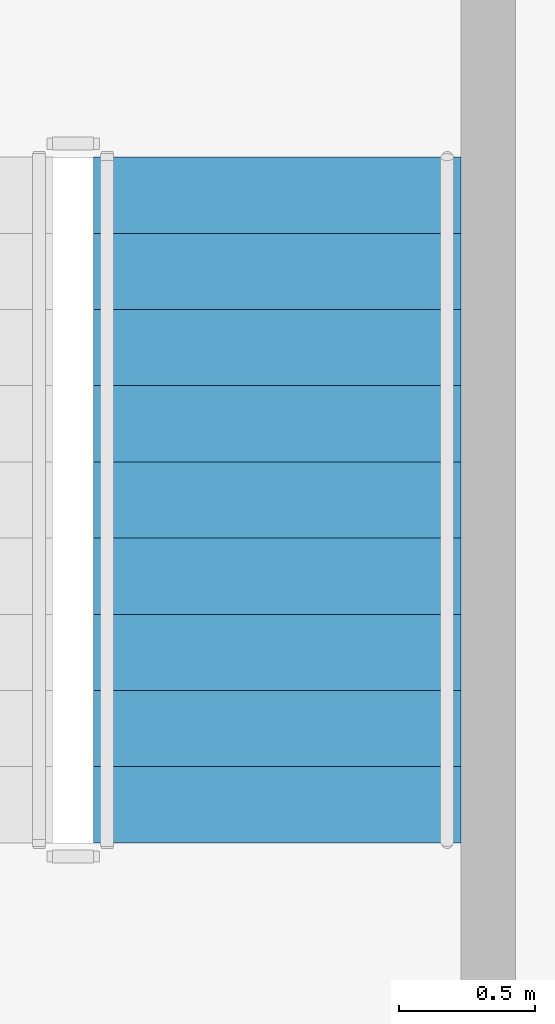
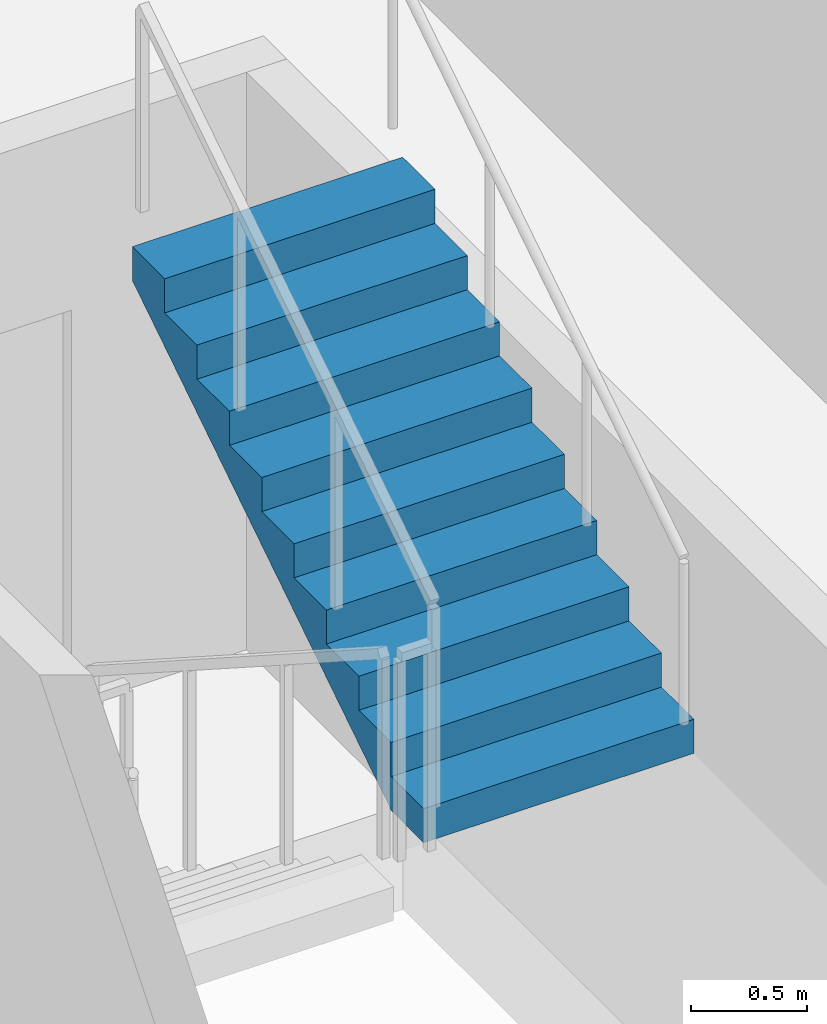
# One storey, part 13 of 17: 1 stair flight, 1 element without a shape of its own.
"""IFC4 building model written with IfcOpenShell, lengths in metres."""

from ifc_helpers import new_model, si_unit, direction, frame, origin, place, context, subcontext, project, spatial, polyline, outline, extrude, material, type_object, element, aggregate, save


model = new_model("IFC4")

# Units and contexts
model_context = context("Model", 3, precision=1e-05, world=origin(), true_north=direction((0.0, 1.0)))
body_context = subcontext(model_context, "Body", "Model", "MODEL_VIEW")
ifc_project = project(units=[si_unit("LENGTHUNIT", "METRE"), si_unit("AREAUNIT", "SQUARE_METRE"), si_unit("VOLUMEUNIT", "CUBIC_METRE"), si_unit("PLANEANGLEUNIT", "RADIAN"), si_unit("MASSUNIT", "GRAM", prefix="KILO")], contexts=[model_context])

# Site, building, storey
site_placement = place(None, origin())
site = spatial("IfcSite", under=ifc_project, at=site_placement, CompositionType="ELEMENT")
building_placement = place(site_placement, origin())
building = spatial("IfcBuilding", under=site, at=building_placement, Name="Mangrove Gate Tower", CompositionType="ELEMENT")
storey_placement = place(building_placement, frame((0.0, 0.0, 245.5)))
storey = spatial("IfcBuildingStorey", under=building, at=storey_placement, Name="L62", CompositionType="ELEMENT", Elevation=245.5)

# Stair, stair flight
ifc_material_1 = material(Name="Concrete C40/50", Category="concrete")
stair_type = type_object("IfcStairType", Name="Core stair 1350", PredefinedType="HALF_TURN_STAIR", material=ifc_material_1)
stair_placement = place(storey_placement, origin())
stair = element("IfcStair", 1, at=stair_placement, inside=storey, type_object=stair_type, Name="L62 Stair 3", PredefinedType="HALF_TURN_STAIR")
ifc_material_2 = material(Name="Concrete C40/50", Category="concrete")
stair_flight_type = type_object("IfcStairFlightType", Name="Core stair flight 1350", PredefinedType="STRAIGHT", material=ifc_material_2)
stair_flight_placement = place(storey_placement, frame((10.02490234375, -7.169921875, 1.800048828125), z_axis=(0.0, 0.0, 1.0), x_axis=(0.0, 1.0, 0.0)))
stair_flight = element("IfcStairFlight", 2, at=stair_flight_placement, type_object=stair_flight_type, Name="ST3 flight 2", NumberOfRisers=10, NumberOfTreads=9, PredefinedType="STRAIGHT", RiserHeight=0.18, TreadLength=0.28, context=body_context, shape_type="SweptSolid", body=[
    extrude(outline(polyline([(0.0, 0.0), (0.0, 0.179931640625), (0.280029296875, 0.179931640625), (0.280029296875, 0.360107421875), (0.56005859375, 0.360107421875), (0.56005859375, 0.5400390625), (0.840087890625, 0.5400390625), (0.840087890625, 0.719970703125), (1.1201171875, 0.719970703125), (1.1201171875, 0.89990234375), (1.39990234375, 0.89990234375), (1.39990234375, 1.080078125), (1.679931640625, 1.080078125), (1.679931640625, 1.260009765625), (1.9599609375, 1.260009765625), (1.9599609375, 1.43994140625), (2.239990234375, 1.43994140625), (2.239990234375, 1.6201171875), (2.52001953125, 1.6201171875), (2.52001953125, 1.800048828125), (2.52001953125, 1.44189453125), (0.277099609375, 0.0), (0.0, 0.0)])), frame((0.0, 0.675048828125, 0.0), z_axis=(0.0, -1.0, 0.0), x_axis=(1.0, 0.0, 0.0)), (0.0, 0.0, 1.0), 1.35009765625),
])
aggregate(stair, [stair_flight])

save(model, "model.ifc")
